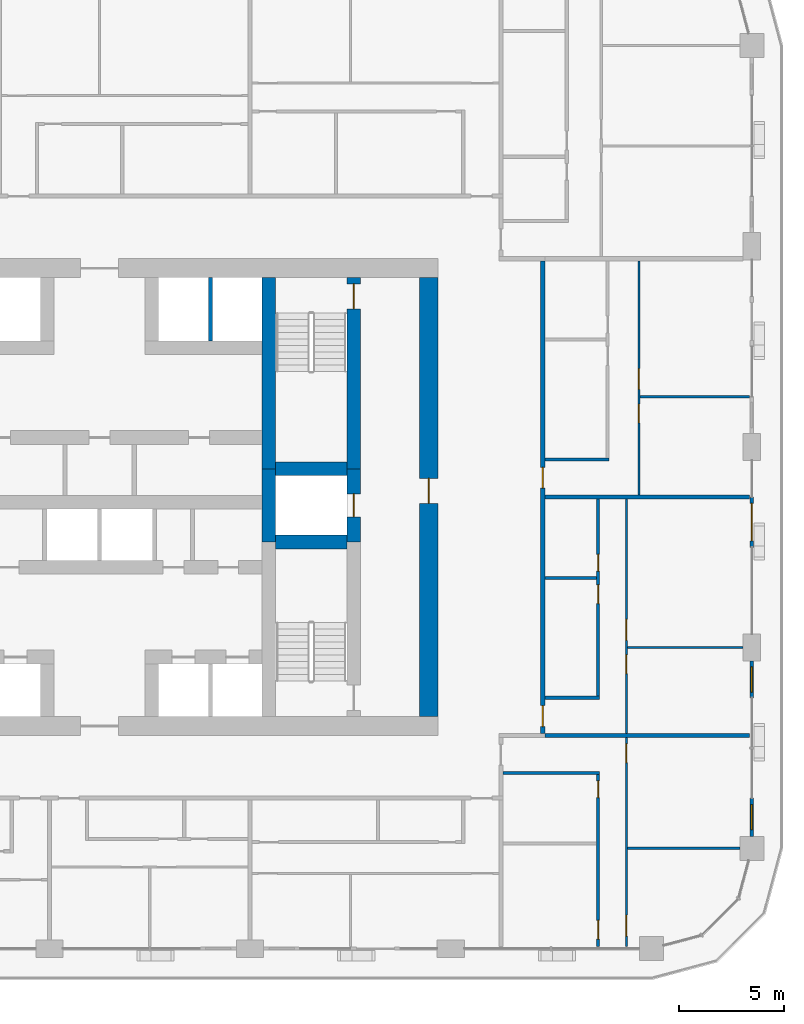
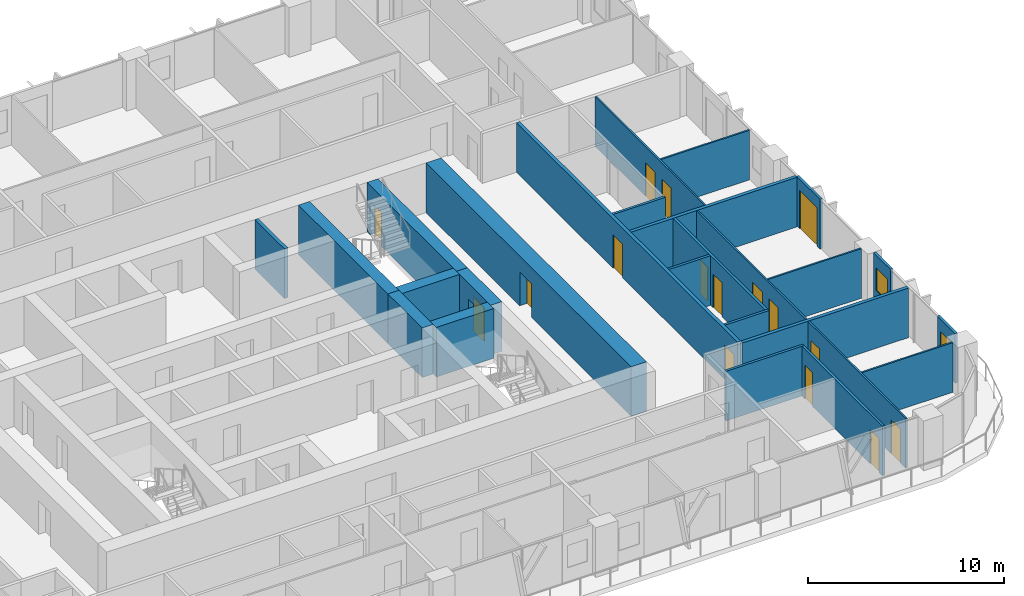
# One storey, part 12 of 21: 26 walls, 16 doors, 2 windows, 18 openings.
"""IFC4 building model written with IfcOpenShell, lengths in metres."""

from ifc_helpers import new_model, si_unit, direction, frame, frame_2d, origin, place, context, subcontext, project, spatial, rectangle, extrude, material, layer, layer_set, type_object, element, fill, save


model = new_model("IFC4")

# Units and contexts
model_context = context("Model", 3, precision=1e-05, world=origin(), true_north=direction((0.0, 1.0)))
body_context = subcontext(model_context, "Body", "Model", "MODEL_VIEW")
ifc_project = project(units=[si_unit("LENGTHUNIT", "METRE"), si_unit("AREAUNIT", "SQUARE_METRE"), si_unit("VOLUMEUNIT", "CUBIC_METRE"), si_unit("PLANEANGLEUNIT", "RADIAN"), si_unit("MASSUNIT", "GRAM", prefix="KILO")], contexts=[model_context])

# Site, building, storey
site_placement = place(None, origin())
site = spatial("IfcSite", under=ifc_project, at=site_placement, CompositionType="ELEMENT")
building_placement = place(site_placement, origin())
building = spatial("IfcBuilding", under=site, at=building_placement, Name="Madar Terraces", CompositionType="ELEMENT")
storey_placement = place(building_placement, frame((0.0, 0.0, 110.199951171875)))
storey = spatial("IfcBuildingStorey", under=building, at=storey_placement, Name="L28", CompositionType="ELEMENT", Elevation=110.199951171875)

# Walls
ifc_material_1 = material(Name="Concrete C80/95", Category="concrete")
ifc_layer_1 = layer(ifc_material_1, 0.64990234375)
ifc_layer_set_1 = layer_set([ifc_layer_1], Name="Concrete C80/95 (CIW2 RC wall 650)")
wall_type_1 = type_object("IfcWallType", Name="CIW2 RC wall 650", PredefinedType="SHEAR", material=ifc_layer_set_1)
wall_1_placement = place(storey_placement, frame((39.300048828125, 24.25, 0.0), z_axis=(0.0, 0.0, 1.0), x_axis=(0.0, 1.0, 0.0)))
element("IfcWall", 1, at=wall_1_placement, inside=storey, type_object=wall_type_1, Name="CORE SHAFT WALL", PredefinedType="SHEAR", context=body_context, shape_type="SweptSolid", body=[
    extrude(rectangle(XDim=3.5, YDim=0.64990234375, at=frame_2d((1.75, 0.0))), origin(), (0.0, 0.0, 1.0), 3.10009765625),
])
wall_2_placement = place(storey_placement, frame((39.300048828125, 27.75, 0.0), z_axis=(0.0, 0.0, 1.0), x_axis=(0.0, 1.0, 0.0)))
element("IfcWall", 2, at=wall_2_placement, inside=storey, type_object=wall_type_1, Name="CORE SHAFT WALL", PredefinedType="SHEAR", context=body_context, shape_type="SweptSolid", body=[
    extrude(rectangle(XDim=9.14990234375, YDim=0.64990234375, at=frame_2d((4.574951171875, 0.0))), origin(), (0.0, 0.0, 1.0), 3.10009765625),
])

# Wall, opening, door
wall_3_placement = place(storey_placement, frame((43.35009765625, 24.25, 0.0), z_axis=(0.0, 0.0, 1.0), x_axis=(0.0, 1.0, 0.0)))
wall_3 = element("IfcWall", 3, at=wall_3_placement, inside=storey, type_object=wall_type_1, Name="CORE SHAFT WALL", PredefinedType="SHEAR", context=body_context, shape_type="SweptSolid", body=[
    extrude(rectangle(XDim=3.5, YDim=0.64990234375, at=frame_2d((1.75, 0.0))), origin(), (0.0, 0.0, 1.0), 3.10009765625),
])
opening_1_placement = place(wall_3_placement, frame((1.199951171875, 0.0, 0.0)))
opening_1 = element("IfcOpeningElement", 4, at=opening_1_placement, cuts=wall_3, Name="Opening LD", PredefinedType="OPENING", context=body_context, shape_type="SweptSolid", body=[
    extrude(rectangle(XDim=1.10009765625, YDim=2.10009765625, at=frame_2d((0.550048828125, 1.050048828125))), frame((0.0, 0.3349609375, 0.0), z_axis=(0.0, -1.0, 0.0), x_axis=(1.0, 0.0, 0.0)), (0.0, 0.0, 1.0), 0.669921875),
])
ifc_material_2 = material(Name="Stainless steel panel", Category="steel")
door_type_1 = type_object("IfcDoorType", Name="Lift landing door 1100 x 2100", OperationType="DOUBLE_DOOR_SLIDING", PredefinedType="DOOR", material=ifc_material_2)
door_1_placement = place(opening_1_placement, origin())
door_1 = element("IfcDoor", 5, at=door_1_placement, inside=storey, type_object=door_type_1, Name="LIFT LANDING DOOR", OperationType="DOUBLE_DOOR_SLIDING", OverallHeight=2.10009765625, OverallWidth=1.10009765625, PredefinedType="DOOR", context=body_context, shape_type="SweptSolid", body=[
    extrude(rectangle(XDim=1.10009765625, YDim=2.10009765625, at=frame_2d((0.550048828125, 1.050048828125))), frame((0.0, 0.02490234375, 0.0), z_axis=(0.0, -1.0, 0.0), x_axis=(1.0, 0.0, 0.0)), (0.0, 0.0, 1.0), 0.050048828125),
])
fill(opening_1, door_1)

wall_4_placement = place(storey_placement, frame((43.35009765625, 27.75, 0.0), z_axis=(0.0, 0.0, 1.0), x_axis=(0.0, 1.0, 0.0)))
wall_4 = element("IfcWall", 6, at=wall_4_placement, inside=storey, type_object=wall_type_1, Name="CORE SHAFT WALL", PredefinedType="SHEAR", context=body_context, shape_type="SweptSolid", body=[
    extrude(rectangle(XDim=9.14990234375, YDim=0.64990234375, at=frame_2d((4.574951171875, 0.0))), origin(), (0.0, 0.0, 1.0), 3.10009765625),
])
opening_2_placement = place(wall_4_placement, frame((7.64990234375, 0.0, 0.0)))
opening_2 = element("IfcOpeningElement", 7, at=opening_2_placement, cuts=wall_4, Name="Opening SD1", PredefinedType="OPENING", context=body_context, shape_type="SweptSolid", body=[
    extrude(rectangle(XDim=1.199951171875, YDim=2.10009765625, at=frame_2d((0.60009765625, 1.050048828125))), frame((0.0, 0.3349609375, 0.0), z_axis=(0.0, -1.0, 0.0), x_axis=(1.0, 0.0, 0.0)), (0.0, 0.0, 1.0), 0.669921875),
])
ifc_material_3 = material(Name="Steel door leaf", Category="steel")
door_type_2 = type_object("IfcDoorType", Name="Stair door 1200 x 2100", OperationType="NOTDEFINED", PredefinedType="DOOR", material=ifc_material_3)
door_2_placement = place(opening_2_placement, origin())
door_2 = element("IfcDoor", 8, at=door_2_placement, inside=storey, type_object=door_type_2, Name="STAIR DOOR", OperationType="SINGLE_SWING_RIGHT", OverallHeight=2.10009765625, OverallWidth=1.199951171875, PredefinedType="DOOR", context=body_context, shape_type="SweptSolid", body=[
    extrude(rectangle(XDim=1.199951171875, YDim=2.10009765625, at=frame_2d((0.60009765625, 1.050048828125))), frame((0.0, 0.02490234375, 0.0), z_axis=(0.0, -1.0, 0.0), x_axis=(1.0, 0.0, 0.0)), (0.0, 0.0, 1.0), 0.050048828125),
])
fill(opening_2, door_2)

# Walls
for number, where, z_axis, x_axis, name in (
    (9, (39.625, 24.25, 0.0), (0.0, 0.0, 1.0), (1.0, 0.0, 0.0), "CORE SHAFT WALL"),
    (10, (39.625, 27.75, 0.0), (0.0, 0.0, 1.0), (1.0, 0.0, 0.0), "CORE SHAFT WALL"),
):
    element("IfcWall", number, at=place(storey_placement, frame(where, z_axis=z_axis, x_axis=x_axis)), inside=storey, type_object=wall_type_1, Name=name, PredefinedType="SHEAR", context=body_context, shape_type="SweptSolid", body=[
        extrude(rectangle(XDim=3.39990234375, YDim=0.64990234375, at=frame_2d((1.699951171875, 0.0))), origin(), (0.0, 0.0, 1.0), 3.10009765625),
    ])

# Wall, opening, door
ifc_material_4 = material(Name="Concrete C80/95", Category="concrete")
ifc_layer_2 = layer(ifc_material_4, 0.89990234375)
ifc_layer_set_2 = layer_set([ifc_layer_2], Name="Concrete C80/95 (CRW2 RC wall 900)")
wall_type_2 = type_object("IfcWallType", Name="CRW2 RC wall 900", PredefinedType="SHEAR", material=ifc_layer_set_2)
wall_5_placement = place(storey_placement, frame((46.949951171875, 15.89990234375, 0.0), z_axis=(0.0, 0.0, 1.0), x_axis=(0.0, 1.0, 0.0)))
wall_5 = element("IfcWall", 11, at=wall_5_placement, inside=storey, type_object=wall_type_2, Name="CORE OUTER WALL", PredefinedType="SHEAR", context=body_context, shape_type="SweptSolid", body=[
    extrude(rectangle(XDim=21.0, YDim=0.89990234375, at=frame_2d((10.5, 0.0))), origin(), (0.0, 0.0, 1.0), 3.10009765625),
])
opening_3_placement = place(wall_5_placement, frame((10.199951171875, 0.0, 0.0)))
opening_3 = element("IfcOpeningElement", 12, at=opening_3_placement, cuts=wall_5, Name="Opening SD1", PredefinedType="OPENING", context=body_context, shape_type="SweptSolid", body=[
    extrude(rectangle(XDim=1.199951171875, YDim=2.10009765625, at=frame_2d((0.60009765625, 1.050048828125))), frame((0.0, 0.4599609375, 0.0), z_axis=(0.0, -1.0, 0.0), x_axis=(1.0, 0.0, 0.0)), (0.0, 0.0, 1.0), 0.919921875),
])
door_3_placement = place(opening_3_placement, origin())
door_3 = element("IfcDoor", 13, at=door_3_placement, inside=storey, type_object=door_type_2, Name="STAIR DOOR", OperationType="SINGLE_SWING_RIGHT", OverallHeight=2.10009765625, OverallWidth=1.199951171875, PredefinedType="DOOR", context=body_context, shape_type="SweptSolid", body=[
    extrude(rectangle(XDim=1.199951171875, YDim=2.10009765625, at=frame_2d((0.60009765625, 1.050048828125))), frame((0.0, 0.02490234375, 0.0), z_axis=(0.0, -1.0, 0.0), x_axis=(1.0, 0.0, 0.0)), (0.0, 0.0, 1.0), 0.050048828125),
])
fill(opening_3, door_3)

# Wall
ifc_material_5 = material(Name="Concrete C40/50", Category="concrete")
ifc_layer_3 = layer(ifc_material_5, 0.199951171875)
ifc_layer_set_3 = layer_set([ifc_layer_3], Name="Core shaft dividing wall 200 C40/50")
wall_type_3 = type_object("IfcWallType", Name="Core shaft dividing wall 200 C40/50", PredefinedType="SOLIDWALL", material=ifc_layer_set_3)
wall_6_placement = place(storey_placement, frame((36.5, 33.875, 0.0), z_axis=(0.0, 0.0, 1.0), x_axis=(0.0, 1.0, 0.0)))
element("IfcWall", 14, at=wall_6_placement, inside=storey, type_object=wall_type_3, Name="SHAFT DIVIDING WALL", PredefinedType="SOLIDWALL", context=body_context, shape_type="SweptSolid", body=[
    extrude(rectangle(XDim=3.02490234375, YDim=0.199951171875, at=frame_2d((1.512451171875, 0.0))), origin(), (0.0, 0.0, 1.0), 3.10009765625),
])

# Wall, opening, window
ifc_material_6 = material(Name="Aluminium composite panel, black, over insulated backing", Category="aluminium")
ifc_layer_4 = layer(ifc_material_6, 0.14990234375)
ifc_layer_set_4 = layer_set([ifc_layer_4], Name="Facade bay panel 150")
wall_type_4 = type_object("IfcWallType", Name="Facade bay panel 150", PredefinedType="SOLIDWALL", material=ifc_layer_set_4)
wall_7_placement = place(storey_placement, frame((62.39990234375, 10.175048828125, 0.0), z_axis=(0.0, 0.0, 1.0), x_axis=(0.0, 1.0, 0.0)))
wall_7 = element("IfcWall", 15, at=wall_7_placement, inside=storey, type_object=wall_type_4, Name="Facade bay panel", PredefinedType="SOLIDWALL", context=body_context, shape_type="SweptSolid", body=[
    extrude(rectangle(XDim=1.824951171875, YDim=0.14990234375, at=frame_2d((0.91259765625, 0.0))), origin(), (0.0, 0.0, 1.0), 3.10009765625),
])
opening_4_placement = place(wall_7_placement, frame((0.3125, 0.0, 0.89990234375)))
opening_4 = element("IfcOpeningElement", 16, at=opening_4_placement, cuts=wall_7, Name="Opening W1", PredefinedType="OPENING", context=body_context, shape_type="SweptSolid", body=[
    extrude(rectangle(XDim=1.199951171875, YDim=1.39990234375, at=frame_2d((0.60009765625, 0.699951171875))), frame((0.0, 0.0849609375, 0.0), z_axis=(0.0, -1.0, 0.0), x_axis=(1.0, 0.0, 0.0)), (0.0, 0.0, 1.0), 0.169921875),
])
ifc_material_7 = material(Name="Glass, clear, with black aluminium frame", Category="aluminium")
window_type = type_object("IfcWindowType", Name="Vent window 1200 x 1400", PartitioningType="SINGLE_PANEL", PredefinedType="WINDOW", material=ifc_material_7)
window_1_placement = place(opening_4_placement, origin())
window_1 = element("IfcWindow", 17, at=window_1_placement, inside=storey, type_object=window_type, Name="Operable vent window", OverallHeight=1.39990234375, OverallWidth=1.199951171875, PartitioningType="SINGLE_PANEL", PredefinedType="WINDOW", context=body_context, shape_type="SweptSolid", body=[
    extrude(rectangle(XDim=1.199951171875, YDim=1.39990234375, at=frame_2d((0.60009765625, 0.699951171875))), frame((0.0, 0.030029296875, 0.0), z_axis=(0.0, -1.0, 0.0), x_axis=(1.0, 0.0, 0.0)), (0.0, 0.0, 1.0), 0.06005859375),
])
fill(opening_4, window_1)

wall_8_placement = place(storey_placement, frame((62.39990234375, 16.800048828125, 0.0), z_axis=(0.0, 0.0, 1.0), x_axis=(0.0, 1.0, 0.0)))
wall_8 = element("IfcWall", 18, at=wall_8_placement, inside=storey, type_object=wall_type_4, Name="Facade bay panel", PredefinedType="SOLIDWALL", context=body_context, shape_type="SweptSolid", body=[
    extrude(rectangle(XDim=1.75, YDim=0.14990234375, at=frame_2d((0.875, 0.0))), origin(), (0.0, 0.0, 1.0), 3.10009765625),
])
opening_5_placement = place(wall_8_placement, frame((0.27490234375, 0.0, 0.89990234375)))
opening_5 = element("IfcOpeningElement", 19, at=opening_5_placement, cuts=wall_8, Name="Opening W1", PredefinedType="OPENING", context=body_context, shape_type="SweptSolid", body=[
    extrude(rectangle(XDim=1.199951171875, YDim=1.39990234375, at=frame_2d((0.60009765625, 0.699951171875))), frame((0.0, 0.0849609375, 0.0), z_axis=(0.0, -1.0, 0.0), x_axis=(1.0, 0.0, 0.0)), (0.0, 0.0, 1.0), 0.169921875),
])
window_2_placement = place(opening_5_placement, origin())
window_2 = element("IfcWindow", 20, at=window_2_placement, inside=storey, type_object=window_type, Name="Operable vent window", OverallHeight=1.39990234375, OverallWidth=1.199951171875, PartitioningType="SINGLE_PANEL", PredefinedType="WINDOW", context=body_context, shape_type="SweptSolid", body=[
    extrude(rectangle(XDim=1.199951171875, YDim=1.39990234375, at=frame_2d((0.60009765625, 0.699951171875))), frame((0.0, 0.030029296875, 0.0), z_axis=(0.0, -1.0, 0.0), x_axis=(1.0, 0.0, 0.0)), (0.0, 0.0, 1.0), 0.06005859375),
])
fill(opening_5, window_2)

# Wall, opening, door
wall_9_placement = place(storey_placement, frame((62.39990234375, 24.0, 0.0), z_axis=(0.0, 0.0, 1.0), x_axis=(0.0, 1.0, 0.0)))
wall_9 = element("IfcWall", 21, at=wall_9_placement, inside=storey, type_object=wall_type_4, Name="Facade bay panel", PredefinedType="SOLIDWALL", context=body_context, shape_type="SweptSolid", body=[
    extrude(rectangle(XDim=2.39990234375, YDim=0.14990234375, at=frame_2d((1.199951171875, 0.0))), origin(), (0.0, 0.0, 1.0), 3.10009765625),
])
opening_6_placement = place(wall_9_placement, frame((0.300048828125, 0.0, 0.0)))
opening_6 = element("IfcOpeningElement", 22, at=opening_6_placement, cuts=wall_9, Name="Opening ED1", PredefinedType="OPENING", context=body_context, shape_type="SweptSolid", body=[
    extrude(rectangle(XDim=1.800048828125, YDim=2.39990234375, at=frame_2d((0.89990234375, 1.199951171875))), frame((0.0, 0.0849609375, 0.0), z_axis=(0.0, -1.0, 0.0), x_axis=(1.0, 0.0, 0.0)), (0.0, 0.0, 1.0), 0.169921875),
])
ifc_material_8 = material(Name="Glass, clear, with black aluminium frame", Category="aluminium")
door_type_3 = type_object("IfcDoorType", Name="Balcony and terrace sliding door 1800 x 2400", OperationType="SLIDING_TO_LEFT", PredefinedType="DOOR", material=ifc_material_8)
door_4_placement = place(opening_6_placement, origin())
door_4 = element("IfcDoor", 23, at=door_4_placement, inside=storey, type_object=door_type_3, Name="Balcony door", OperationType="SLIDING_TO_LEFT", OverallHeight=2.39990234375, OverallWidth=1.800048828125, PredefinedType="DOOR", context=body_context, shape_type="SweptSolid", body=[
    extrude(rectangle(XDim=1.800048828125, YDim=2.39990234375, at=frame_2d((0.89990234375, 1.199951171875))), frame((0.0, 0.02490234375, 0.0), z_axis=(0.0, -1.0, 0.0), x_axis=(1.0, 0.0, 0.0)), (0.0, 0.0, 1.0), 0.050048828125),
])
fill(opening_6, door_4)

# Wall
ifc_material_9 = material(Name="Gypsum board on steel studs", Category="steel")
ifc_layer_5 = layer(ifc_material_9, 0.10009765625)
ifc_layer_set_5 = layer_set([ifc_layer_5], Name="Flat partition 100")
wall_type_5 = type_object("IfcWallType", Name="Flat partition 100", PredefinedType="PARTITIONING", material=ifc_layer_set_5)
wall_10_placement = place(storey_placement, frame((56.449951171875, 9.60009765625, 0.0), z_axis=(0.0, 0.0, 1.0), x_axis=(1.0, 0.0, 0.0)))
element("IfcWall", 24, at=wall_10_placement, inside=storey, type_object=wall_type_5, Name="Flat partition 100", PredefinedType="PARTITIONING", context=body_context, shape_type="SweptSolid", body=[
    extrude(rectangle(XDim=5.375, YDim=0.10009765625, at=frame_2d((2.6875, 0.0))), origin(), (0.0, 0.0, 1.0), 3.10009765625),
])

# Wall, openings, doors
wall_11_placement = place(storey_placement, frame((56.39990234375, 14.89990234375, 0.0), z_axis=(0.0, 0.0, 1.0), x_axis=(0.0, -1.0, 0.0)))
wall_11 = element("IfcWall", 25, at=wall_11_placement, inside=storey, type_object=wall_type_5, Name="Flat partition 100", PredefinedType="PARTITIONING", context=body_context, shape_type="SweptSolid", body=[
    extrude(rectangle(XDim=10.0, YDim=0.10009765625, at=frame_2d((5.0, 0.0))), origin(), (0.0, 0.0, 1.0), 3.10009765625),
])
opening_7_placement = place(wall_11_placement, frame((0.300048828125, 0.0, 0.0)))
opening_7 = element("IfcOpeningElement", 26, at=opening_7_placement, cuts=wall_11, Name="Opening D2", PredefinedType="OPENING", context=body_context, shape_type="SweptSolid", body=[
    extrude(rectangle(XDim=0.89990234375, YDim=2.10009765625, at=frame_2d((0.449951171875, 1.050048828125))), frame((0.0, 0.06005859375, 0.0), z_axis=(0.0, -1.0, 0.0), x_axis=(1.0, 0.0, 0.0)), (0.0, 0.0, 1.0), 0.1201171875),
])
opening_8_placement = place(wall_11_placement, frame((8.5, 0.0, 0.0)))
opening_8 = element("IfcOpeningElement", 27, at=opening_8_placement, cuts=wall_11, Name="Opening D3", PredefinedType="OPENING", context=body_context, shape_type="SweptSolid", body=[
    extrude(rectangle(XDim=1.0, YDim=2.10009765625, at=frame_2d((0.5, 1.050048828125))), frame((0.0, 0.06005859375, 0.0), z_axis=(0.0, -1.0, 0.0), x_axis=(1.0, 0.0, 0.0)), (0.0, 0.0, 1.0), 0.1201171875),
])
ifc_material_10 = material(Name="Timber door leaf", Category="wood")
door_type_4 = type_object("IfcDoorType", Name="Flat living room door 1000", OperationType="NOTDEFINED", PredefinedType="DOOR", material=ifc_material_10)
door_5_placement = place(opening_8_placement, origin())
door_5 = element("IfcDoor", 28, at=door_5_placement, inside=storey, type_object=door_type_4, Name="Flat living room door 1000", OperationType="SINGLE_SWING_RIGHT", OverallHeight=2.10009765625, OverallWidth=1.0, PredefinedType="DOOR", context=body_context, shape_type="SweptSolid", body=[
    extrude(rectangle(XDim=1.0, YDim=2.10009765625, at=frame_2d((0.5, 1.050048828125))), frame((0.0, 0.02490234375, 0.0), z_axis=(0.0, -1.0, 0.0), x_axis=(1.0, 0.0, 0.0)), (0.0, 0.0, 1.0), 0.050048828125),
])
fill(opening_8, door_5)
ifc_material_11 = material(Name="Timber door leaf", Category="wood")
door_type_5 = type_object("IfcDoorType", Name="Flat room door 900", OperationType="NOTDEFINED", PredefinedType="DOOR", material=ifc_material_11)
door_6_placement = place(opening_7_placement, origin())
door_6 = element("IfcDoor", 29, at=door_6_placement, inside=storey, type_object=door_type_5, Name="Flat room door 900", OperationType="SINGLE_SWING_LEFT", OverallHeight=2.10009765625, OverallWidth=0.89990234375, PredefinedType="DOOR", context=body_context, shape_type="SweptSolid", body=[
    extrude(rectangle(XDim=0.89990234375, YDim=2.10009765625, at=frame_2d((0.449951171875, 1.050048828125))), frame((0.0, 0.02490234375, 0.0), z_axis=(0.0, -1.0, 0.0), x_axis=(1.0, 0.0, 0.0)), (0.0, 0.0, 1.0), 0.050048828125),
])
fill(opening_7, door_6)

# Wall
wall_12_placement = place(storey_placement, frame((56.449951171875, 19.199951171875, 0.0), z_axis=(0.0, 0.0, 1.0), x_axis=(1.0, 0.0, 0.0)))
element("IfcWall", 30, at=wall_12_placement, inside=storey, type_object=wall_type_5, Name="Flat partition 100", PredefinedType="PARTITIONING", context=body_context, shape_type="SweptSolid", body=[
    extrude(rectangle(XDim=5.525146484375, YDim=0.10009765625, at=frame_2d((2.7626953125, 0.0))), origin(), (0.0, 0.0, 1.0), 3.10009765625),
])

# Wall, openings, doors
wall_13_placement = place(storey_placement, frame((56.39990234375, 26.300048828125, 0.0), z_axis=(0.0, 0.0, 1.0), x_axis=(0.0, -1.0, 0.0)))
wall_13 = element("IfcWall", 31, at=wall_13_placement, inside=storey, type_object=wall_type_5, Name="Flat partition 100", PredefinedType="PARTITIONING", context=body_context, shape_type="SweptSolid", body=[
    extrude(rectangle(XDim=11.199951171875, YDim=0.10009765625, at=frame_2d((5.60009765625, 0.0))), origin(), (0.0, 0.0, 1.0), 3.10009765625),
])
opening_9_placement = place(wall_13_placement, frame((7.449951171875, 0.0, 0.0)))
opening_9 = element("IfcOpeningElement", 32, at=opening_9_placement, cuts=wall_13, Name="Opening D2", PredefinedType="OPENING", context=body_context, shape_type="SweptSolid", body=[
    extrude(rectangle(XDim=0.89990234375, YDim=2.10009765625, at=frame_2d((0.449951171875, 1.050048828125))), frame((0.0, 0.06005859375, 0.0), z_axis=(0.0, -1.0, 0.0), x_axis=(1.0, 0.0, 0.0)), (0.0, 0.0, 1.0), 0.1201171875),
])
opening_10_placement = place(wall_13_placement, frame((5.75, 0.0, 0.0)))
opening_10 = element("IfcOpeningElement", 33, at=opening_10_placement, cuts=wall_13, Name="Opening D3", PredefinedType="OPENING", context=body_context, shape_type="SweptSolid", body=[
    extrude(rectangle(XDim=1.0, YDim=2.10009765625, at=frame_2d((0.5, 1.050048828125))), frame((0.0, 0.06005859375, 0.0), z_axis=(0.0, -1.0, 0.0), x_axis=(1.0, 0.0, 0.0)), (0.0, 0.0, 1.0), 0.1201171875),
])
door_7_placement = place(opening_10_placement, origin())
door_7 = element("IfcDoor", 34, at=door_7_placement, inside=storey, type_object=door_type_4, Name="Flat living room door 1000", OperationType="SINGLE_SWING_RIGHT", OverallHeight=2.10009765625, OverallWidth=1.0, PredefinedType="DOOR", context=body_context, shape_type="SweptSolid", body=[
    extrude(rectangle(XDim=1.0, YDim=2.10009765625, at=frame_2d((0.5, 1.050048828125))), frame((0.0, 0.02490234375, 0.0), z_axis=(0.0, -1.0, 0.0), x_axis=(1.0, 0.0, 0.0)), (0.0, 0.0, 1.0), 0.050048828125),
])
fill(opening_10, door_7)
door_8_placement = place(opening_9_placement, origin())
door_8 = element("IfcDoor", 35, at=door_8_placement, inside=storey, type_object=door_type_5, Name="Flat room door 900", OperationType="SINGLE_SWING_LEFT", OverallHeight=2.10009765625, OverallWidth=0.89990234375, PredefinedType="DOOR", context=body_context, shape_type="SweptSolid", body=[
    extrude(rectangle(XDim=0.89990234375, YDim=2.10009765625, at=frame_2d((0.449951171875, 1.050048828125))), frame((0.0, 0.02490234375, 0.0), z_axis=(0.0, -1.0, 0.0), x_axis=(1.0, 0.0, 0.0)), (0.0, 0.0, 1.0), 0.050048828125),
])
fill(opening_9, door_8)

# Wall
wall_14_placement = place(storey_placement, frame((57.050048828125, 31.199951171875, 0.0), z_axis=(0.0, 0.0, 1.0), x_axis=(1.0, 0.0, 0.0)))
element("IfcWall", 36, at=wall_14_placement, inside=storey, type_object=wall_type_5, Name="Flat partition 100", PredefinedType="PARTITIONING", context=body_context, shape_type="SweptSolid", body=[
    extrude(rectangle(XDim=5.25, YDim=0.10009765625, at=frame_2d((2.625, 0.0))), origin(), (0.0, 0.0, 1.0), 3.10009765625),
])

# Wall, openings, doors
wall_15_placement = place(storey_placement, frame((57.0, 37.699951171875, 0.0), z_axis=(0.0, 0.0, 1.0), x_axis=(0.0, -1.0, 0.0)))
wall_15 = element("IfcWall", 37, at=wall_15_placement, inside=storey, type_object=wall_type_5, Name="Flat partition 100", PredefinedType="PARTITIONING", context=body_context, shape_type="SweptSolid", body=[
    extrude(rectangle(XDim=11.199951171875, YDim=0.10009765625, at=frame_2d((5.60009765625, 0.0))), origin(), (0.0, 0.0, 1.0), 3.10009765625),
])
opening_11_placement = place(wall_15_placement, frame((6.85009765625, 0.0, 0.0)))
opening_11 = element("IfcOpeningElement", 38, at=opening_11_placement, cuts=wall_15, Name="Opening D2", PredefinedType="OPENING", context=body_context, shape_type="SweptSolid", body=[
    extrude(rectangle(XDim=0.89990234375, YDim=2.10009765625, at=frame_2d((0.449951171875, 1.050048828125))), frame((0.0, 0.06005859375, 0.0), z_axis=(0.0, -1.0, 0.0), x_axis=(1.0, 0.0, 0.0)), (0.0, 0.0, 1.0), 0.1201171875),
])
opening_12_placement = place(wall_15_placement, frame((5.14990234375, 0.0, 0.0)))
opening_12 = element("IfcOpeningElement", 39, at=opening_12_placement, cuts=wall_15, Name="Opening D3", PredefinedType="OPENING", context=body_context, shape_type="SweptSolid", body=[
    extrude(rectangle(XDim=1.0, YDim=2.10009765625, at=frame_2d((0.5, 1.050048828125))), frame((0.0, 0.06005859375, 0.0), z_axis=(0.0, -1.0, 0.0), x_axis=(1.0, 0.0, 0.0)), (0.0, 0.0, 1.0), 0.1201171875),
])
door_9_placement = place(opening_12_placement, origin())
door_9 = element("IfcDoor", 40, at=door_9_placement, inside=storey, type_object=door_type_4, Name="Flat living room door 1000", OperationType="SINGLE_SWING_RIGHT", OverallHeight=2.10009765625, OverallWidth=1.0, PredefinedType="DOOR", context=body_context, shape_type="SweptSolid", body=[
    extrude(rectangle(XDim=1.0, YDim=2.10009765625, at=frame_2d((0.5, 1.050048828125))), frame((0.0, 0.02490234375, 0.0), z_axis=(0.0, -1.0, 0.0), x_axis=(1.0, 0.0, 0.0)), (0.0, 0.0, 1.0), 0.050048828125),
])
fill(opening_12, door_9)
door_10_placement = place(opening_11_placement, origin())
door_10 = element("IfcDoor", 41, at=door_10_placement, inside=storey, type_object=door_type_5, Name="Flat room door 900", OperationType="SINGLE_SWING_LEFT", OverallHeight=2.10009765625, OverallWidth=0.89990234375, PredefinedType="DOOR", context=body_context, shape_type="SweptSolid", body=[
    extrude(rectangle(XDim=0.89990234375, YDim=2.10009765625, at=frame_2d((0.449951171875, 1.050048828125))), frame((0.0, 0.02490234375, 0.0), z_axis=(0.0, -1.0, 0.0), x_axis=(1.0, 0.0, 0.0)), (0.0, 0.0, 1.0), 0.050048828125),
])
fill(opening_11, door_10)

ifc_material_12 = material(Name="Lightweight blockwork", Category="masonry")
ifc_layer_6 = layer(ifc_material_12, 0.199951171875)
ifc_layer_set_6 = layer_set([ifc_layer_6], Name="Flat party and entrance wall 200")
wall_type_6 = type_object("IfcWallType", Name="Flat party and entrance wall 200", PredefinedType="PARTITIONING", material=ifc_layer_set_6)
wall_16_placement = place(storey_placement, frame((52.39990234375, 37.699951171875, 0.0), z_axis=(0.0, 0.0, 1.0), x_axis=(0.0, -1.0, 0.0)))
wall_16 = element("IfcWall", 42, at=wall_16_placement, inside=storey, type_object=wall_type_6, Name="Flat party and entrance wall 200", PredefinedType="PARTITIONING", context=body_context, shape_type="SweptSolid", body=[
    extrude(rectangle(XDim=22.599853515625, YDim=0.199951171875, at=frame_2d((11.2998046875, 0.0))), origin(), (0.0, 0.0, 1.0), 3.10009765625),
])
opening_13_placement = place(wall_16_placement, frame((21.27490234375, 0.0, 0.0)))
opening_13 = element("IfcOpeningElement", 43, at=opening_13_placement, cuts=wall_16, Name="Opening D1", PredefinedType="OPENING", context=body_context, shape_type="SweptSolid", body=[
    extrude(rectangle(XDim=1.0, YDim=2.10009765625, at=frame_2d((0.5, 1.050048828125))), frame((0.0, 0.10986328125, 0.0), z_axis=(0.0, -1.0, 0.0), x_axis=(1.0, 0.0, 0.0)), (0.0, 0.0, 1.0), 0.219970703125),
])
opening_14_placement = place(wall_16_placement, frame((9.875, 0.0, 0.0)))
opening_14 = element("IfcOpeningElement", 44, at=opening_14_placement, cuts=wall_16, Name="Opening D1", PredefinedType="OPENING", context=body_context, shape_type="SweptSolid", body=[
    extrude(rectangle(XDim=1.0, YDim=2.10009765625, at=frame_2d((0.5, 1.050048828125))), frame((0.0, 0.10986328125, 0.0), z_axis=(0.0, -1.0, 0.0), x_axis=(1.0, 0.0, 0.0)), (0.0, 0.0, 1.0), 0.219970703125),
])
ifc_material_13 = material(Name="Timber fire door leaf", Category="wood")
door_type_6 = type_object("IfcDoorType", Name="Flat entrance door 1000 FD30S", OperationType="NOTDEFINED", PredefinedType="DOOR", material=ifc_material_13)
door_11_placement = place(opening_13_placement, origin())
door_11 = element("IfcDoor", 45, at=door_11_placement, inside=storey, type_object=door_type_6, Name="Flat entrance door 1000 FD30S", OperationType="SINGLE_SWING_RIGHT", OverallHeight=2.10009765625, OverallWidth=1.0, PredefinedType="DOOR", context=body_context, shape_type="SweptSolid", body=[
    extrude(rectangle(XDim=1.0, YDim=2.10009765625, at=frame_2d((0.5, 1.050048828125))), frame((0.0, 0.02490234375, 0.0), z_axis=(0.0, -1.0, 0.0), x_axis=(1.0, 0.0, 0.0)), (0.0, 0.0, 1.0), 0.050048828125),
])
fill(opening_13, door_11)
door_12_placement = place(opening_14_placement, origin())
door_12 = element("IfcDoor", 46, at=door_12_placement, inside=storey, type_object=door_type_6, Name="Flat entrance door 1000 FD30S", OperationType="SINGLE_SWING_RIGHT", OverallHeight=2.10009765625, OverallWidth=1.0, PredefinedType="DOOR", context=body_context, shape_type="SweptSolid", body=[
    extrude(rectangle(XDim=1.0, YDim=2.10009765625, at=frame_2d((0.5, 1.050048828125))), frame((0.0, 0.02490234375, 0.0), z_axis=(0.0, -1.0, 0.0), x_axis=(1.0, 0.0, 0.0)), (0.0, 0.0, 1.0), 0.050048828125),
])
fill(opening_14, door_12)

# Walls
for number, where, z_axis, x_axis, name in (
    (47, (52.5, 15.0, 0.0), (0.0, 0.0, 1.0), (1.0, 0.0, 0.0), "Flat party and entrance wall 200"),
    (48, (52.5, 26.39990234375, 0.0), (0.0, 0.0, 1.0), (1.0, 0.0, 0.0), "Flat party and entrance wall 200"),
):
    element("IfcWall", number, at=place(storey_placement, frame(where, z_axis=z_axis, x_axis=x_axis)), inside=storey, type_object=wall_type_6, Name=name, PredefinedType="PARTITIONING", context=body_context, shape_type="SweptSolid", body=[
        extrude(rectangle(XDim=9.800048828125, YDim=0.199951171875, at=frame_2d((4.89990234375, 0.0))), origin(), (0.0, 0.0, 1.0), 3.10009765625),
    ])
ifc_material_14 = material(Name="Lightweight blockwork", Category="masonry")
ifc_layer_7 = layer(ifc_material_14, 0.14990234375)
ifc_layer_set_7 = layer_set([ifc_layer_7], Name="Flat wet-room partition 150")
wall_type_7 = type_object("IfcWallType", Name="Flat wet-room partition 150", PredefinedType="PARTITIONING", material=ifc_layer_set_7)
wall_17_placement = place(storey_placement, frame((50.5, 13.199951171875, 0.0), z_axis=(0.0, 0.0, 1.0), x_axis=(1.0, 0.0, 0.0)))
element("IfcWall", 49, at=wall_17_placement, inside=storey, type_object=wall_type_7, Name="Flat wet-room partition 150", PredefinedType="PARTITIONING", context=body_context, shape_type="SweptSolid", body=[
    extrude(rectangle(XDim=4.625, YDim=0.14990234375, at=frame_2d((2.3125, 0.0))), origin(), (0.0, 0.0, 1.0), 3.10009765625),
])

# Wall, openings, doors
wall_18_placement = place(storey_placement, frame((55.050048828125, 4.89990234375, 0.0), z_axis=(0.0, 0.0, 1.0), x_axis=(0.0, 1.0, 0.0)))
wall_18 = element("IfcWall", 50, at=wall_18_placement, inside=storey, type_object=wall_type_7, Name="Flat wet-room partition 150", PredefinedType="PARTITIONING", context=body_context, shape_type="SweptSolid", body=[
    extrude(rectangle(XDim=8.22509765625, YDim=0.14990234375, at=frame_2d((4.112548828125, 0.0))), origin(), (0.0, 0.0, 1.0), 3.10009765625),
])
opening_15_placement = place(wall_18_placement, frame((7.125, 0.0, 0.0)))
opening_15 = element("IfcOpeningElement", 51, at=opening_15_placement, cuts=wall_18, Name="Opening D4", PredefinedType="OPENING", context=body_context, shape_type="SweptSolid", body=[
    extrude(rectangle(XDim=0.800048828125, YDim=2.10009765625, at=frame_2d((0.39990234375, 1.050048828125))), frame((0.0, 0.0849609375, 0.0), z_axis=(0.0, -1.0, 0.0), x_axis=(1.0, 0.0, 0.0)), (0.0, 0.0, 1.0), 0.169921875),
])
opening_16_placement = place(wall_18_placement, frame((0.35009765625, 0.0, 0.0)))
opening_16 = element("IfcOpeningElement", 52, at=opening_16_placement, cuts=wall_18, Name="Opening D2", PredefinedType="OPENING", context=body_context, shape_type="SweptSolid", body=[
    extrude(rectangle(XDim=0.89990234375, YDim=2.10009765625, at=frame_2d((0.449951171875, 1.050048828125))), frame((0.0, 0.0849609375, 0.0), z_axis=(0.0, -1.0, 0.0), x_axis=(1.0, 0.0, 0.0)), (0.0, 0.0, 1.0), 0.169921875),
])
ifc_material_15 = material(Name="Timber door leaf", Category="wood")
door_type_7 = type_object("IfcDoorType", Name="Flat bathroom door 800", OperationType="NOTDEFINED", PredefinedType="DOOR", material=ifc_material_15)
door_13_placement = place(opening_15_placement, origin())
door_13 = element("IfcDoor", 53, at=door_13_placement, inside=storey, type_object=door_type_7, Name="Flat bathroom door 800", OperationType="SINGLE_SWING_RIGHT", OverallHeight=2.10009765625, OverallWidth=0.800048828125, PredefinedType="DOOR", context=body_context, shape_type="SweptSolid", body=[
    extrude(rectangle(XDim=0.800048828125, YDim=2.10009765625, at=frame_2d((0.39990234375, 1.050048828125))), frame((0.0, 0.02490234375, 0.0), z_axis=(0.0, -1.0, 0.0), x_axis=(1.0, 0.0, 0.0)), (0.0, 0.0, 1.0), 0.050048828125),
])
fill(opening_15, door_13)
door_14_placement = place(opening_16_placement, origin())
door_14 = element("IfcDoor", 54, at=door_14_placement, inside=storey, type_object=door_type_5, Name="Flat room door 900", OperationType="SINGLE_SWING_LEFT", OverallHeight=2.10009765625, OverallWidth=0.89990234375, PredefinedType="DOOR", context=body_context, shape_type="SweptSolid", body=[
    extrude(rectangle(XDim=0.89990234375, YDim=2.10009765625, at=frame_2d((0.449951171875, 1.050048828125))), frame((0.0, 0.02490234375, 0.0), z_axis=(0.0, -1.0, 0.0), x_axis=(1.0, 0.0, 0.0)), (0.0, 0.0, 1.0), 0.050048828125),
])
fill(opening_16, door_14)

# Walls
wall_19_placement = place(storey_placement, frame((52.5, 22.530029296875, 0.0), z_axis=(0.0, 0.0, 1.0), x_axis=(1.0, 0.0, 0.0)))
element("IfcWall", 55, at=wall_19_placement, inside=storey, type_object=wall_type_7, Name="Flat wet-room partition 150", PredefinedType="PARTITIONING", context=body_context, shape_type="SweptSolid", body=[
    extrude(rectangle(XDim=2.47509765625, YDim=0.14990234375, at=frame_2d((1.237548828125, 0.0))), origin(), (0.0, 0.0, 1.0), 3.10009765625),
])
wall_20_placement = place(storey_placement, frame((52.5, 16.800048828125, 0.0), z_axis=(0.0, 0.0, 1.0), x_axis=(1.0, 0.0, 0.0)))
element("IfcWall", 56, at=wall_20_placement, inside=storey, type_object=wall_type_7, Name="Flat wet-room partition 150", PredefinedType="PARTITIONING", context=body_context, shape_type="SweptSolid", body=[
    extrude(rectangle(XDim=2.625, YDim=0.14990234375, at=frame_2d((1.3125, 0.0))), origin(), (0.0, 0.0, 1.0), 3.10009765625),
])

# Wall, openings, doors
wall_21_placement = place(storey_placement, frame((55.050048828125, 16.875, 0.0), z_axis=(0.0, 0.0, 1.0), x_axis=(0.0, 1.0, 0.0)))
wall_21 = element("IfcWall", 57, at=wall_21_placement, inside=storey, type_object=wall_type_7, Name="Flat wet-room partition 150", PredefinedType="PARTITIONING", context=body_context, shape_type="SweptSolid", body=[
    extrude(rectangle(XDim=9.425048828125, YDim=0.14990234375, at=frame_2d((4.71240234375, 0.0))), origin(), (0.0, 0.0, 1.0), 3.10009765625),
])
opening_17_placement = place(wall_21_placement, frame((4.429931640625, 0.0, 0.0)))
opening_17 = element("IfcOpeningElement", 58, at=opening_17_placement, cuts=wall_21, Name="Opening D2", PredefinedType="OPENING", context=body_context, shape_type="SweptSolid", body=[
    extrude(rectangle(XDim=0.89990234375, YDim=2.10009765625, at=frame_2d((0.449951171875, 1.050048828125))), frame((0.0, 0.0849609375, 0.0), z_axis=(0.0, -1.0, 0.0), x_axis=(1.0, 0.0, 0.0)), (0.0, 0.0, 1.0), 0.169921875),
])
opening_18_placement = place(wall_21_placement, frame((5.97998046875, 0.0, 0.0)))
opening_18 = element("IfcOpeningElement", 59, at=opening_18_placement, cuts=wall_21, Name="Opening D4", PredefinedType="OPENING", context=body_context, shape_type="SweptSolid", body=[
    extrude(rectangle(XDim=0.800048828125, YDim=2.10009765625, at=frame_2d((0.39990234375, 1.050048828125))), frame((0.0, 0.0849609375, 0.0), z_axis=(0.0, -1.0, 0.0), x_axis=(1.0, 0.0, 0.0)), (0.0, 0.0, 1.0), 0.169921875),
])
door_15_placement = place(opening_18_placement, origin())
door_15 = element("IfcDoor", 60, at=door_15_placement, inside=storey, type_object=door_type_7, Name="Flat bathroom door 800", OperationType="SINGLE_SWING_LEFT", OverallHeight=2.10009765625, OverallWidth=0.800048828125, PredefinedType="DOOR", context=body_context, shape_type="SweptSolid", body=[
    extrude(rectangle(XDim=0.800048828125, YDim=2.10009765625, at=frame_2d((0.39990234375, 1.050048828125))), frame((0.0, 0.02490234375, 0.0), z_axis=(0.0, -1.0, 0.0), x_axis=(1.0, 0.0, 0.0)), (0.0, 0.0, 1.0), 0.050048828125),
])
fill(opening_18, door_15)
door_16_placement = place(opening_17_placement, origin())
door_16 = element("IfcDoor", 61, at=door_16_placement, inside=storey, type_object=door_type_5, Name="Flat room door 900", OperationType="SINGLE_SWING_RIGHT", OverallHeight=2.10009765625, OverallWidth=0.89990234375, PredefinedType="DOOR", context=body_context, shape_type="SweptSolid", body=[
    extrude(rectangle(XDim=0.89990234375, YDim=2.10009765625, at=frame_2d((0.449951171875, 1.050048828125))), frame((0.0, 0.02490234375, 0.0), z_axis=(0.0, -1.0, 0.0), x_axis=(1.0, 0.0, 0.0)), (0.0, 0.0, 1.0), 0.050048828125),
])
fill(opening_17, door_16)

# Wall
wall_22_placement = place(storey_placement, frame((52.5, 28.199951171875, 0.0), z_axis=(0.0, 0.0, 1.0), x_axis=(1.0, 0.0, 0.0)))
element("IfcWall", 62, at=wall_22_placement, inside=storey, type_object=wall_type_7, Name="Flat wet-room partition 150", PredefinedType="PARTITIONING", context=body_context, shape_type="SweptSolid", body=[
    extrude(rectangle(XDim=3.074951171875, YDim=0.14990234375, at=frame_2d((1.53759765625, 0.0))), origin(), (0.0, 0.0, 1.0), 3.10009765625),
])

save(model, "model.ifc")
